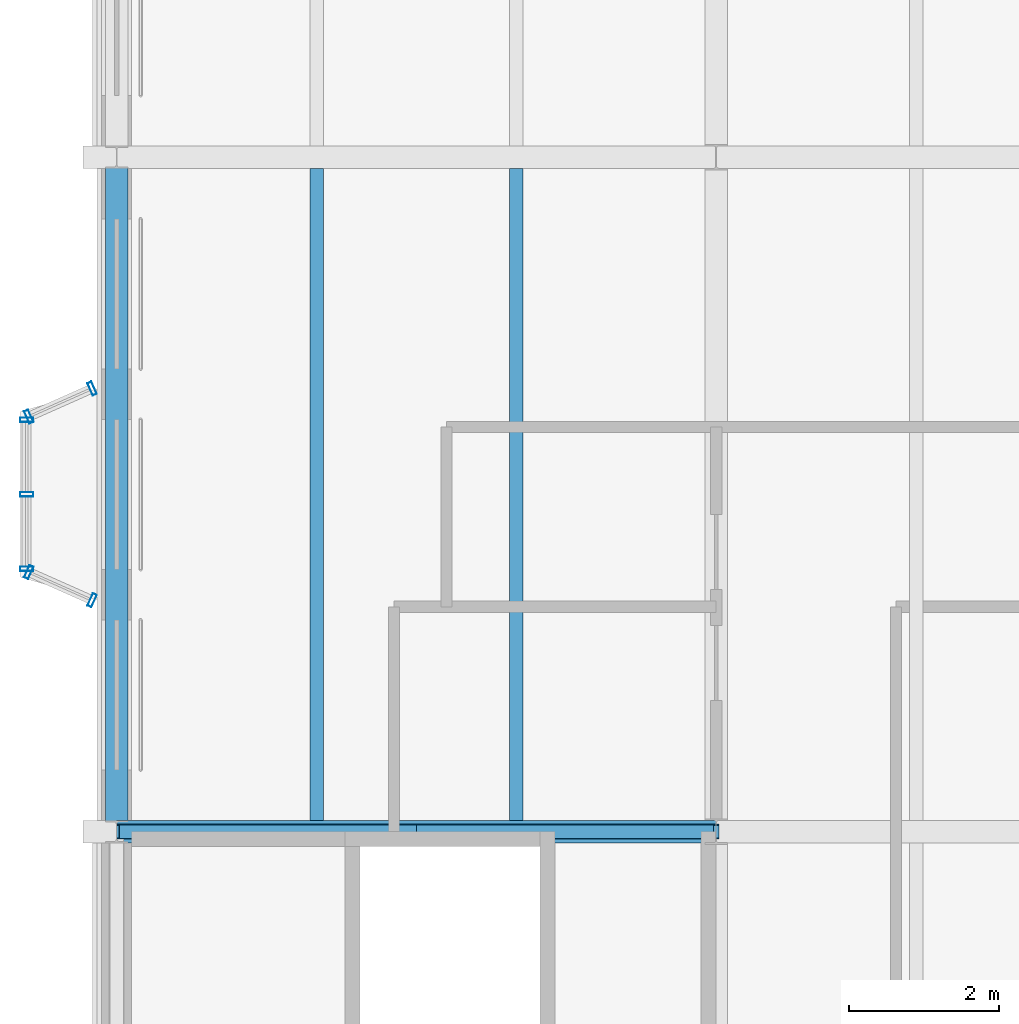
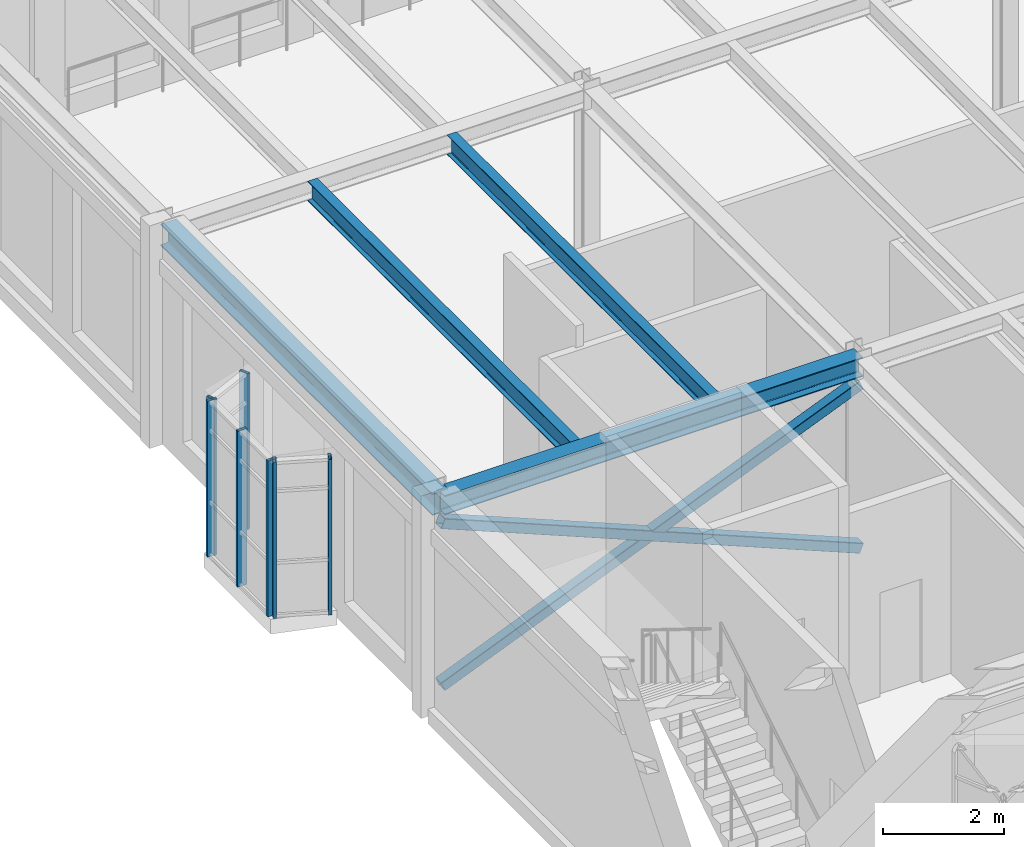
# One storey, part 49 of 153: 9 members, 4 beams, 3 elements without a shape of their own.
"""IFC4 building model written with IfcOpenShell, lengths in metres."""

import ifcopenshell
import ifcopenshell.guid

model = None  # the IFC model being written
_history = None  # IfcOwnerHistory: only IFC2X3 demands one
_inside = {}  # id of a spatial element -> (the spatial element, [elements in it])
_under = {}  # id of a project, library or spatial element -> (it, [spatial elements below it])
_declared = {}  # id of a project -> (the project, [libraries it declares])
_typed = {}  # id of a type object -> (the type object, [elements of that type])
_made_of = {}  # id of a material, layer set ... -> (it, [elements and type objects made of it])


def new_model(schema):
    """Start an empty IFC model of exactly this schema.

    Asked for "IFC4X3", IfcOpenShell would pick the latest addendum, in which some entities
    have other attributes; the version numbers below select the first issue.
    IFC2X3 requires an IfcOwnerHistory on every rooted entity: one is made here for all.
    """
    global model, _history
    if schema == "IFC4X3":
        model = ifcopenshell.file(schema_version=(4, 3, 0, 0))
    else:
        model = ifcopenshell.file(schema=schema)
    _inside.clear()
    _under.clear()
    _declared.clear()
    _typed.clear()
    _made_of.clear()
    _history = None
    if model.schema == "IFC2X3":
        org = make("IfcOrganization", Name="unknown")
        user = make(
            "IfcPersonAndOrganization",
            ThePerson=make("IfcPerson", FamilyName="unknown"),
            TheOrganization=org,
        )
        app = make(
            "IfcApplication",
            ApplicationDeveloper=org,
            Version="unknown",
            ApplicationFullName="unknown",
            ApplicationIdentifier="unknown",
        )
        _history = make(
            "IfcOwnerHistory",
            OwningUser=user,
            OwningApplication=app,
            ChangeAction="ADDED",
            CreationDate=0,
        )
    return model


def make(cls, **values):
    """One entity of the class cls with the attributes given. An attribute that is None is left unset."""
    return model.create_entity(
        cls, **{name: value for name, value in values.items() if value is not None}
    )


def rooted(cls, **values):
    """An entity with a GlobalId (a new one), such as an element, a storey or a relation."""
    return make(cls, GlobalId=ifcopenshell.guid.new(), OwnerHistory=_history, **values)


def si_unit(unit_type, name, prefix=None):
    """IfcSIUnit, for example si_unit("LENGTHUNIT", "METRE", prefix="MILLI")."""
    return make("IfcSIUnit", UnitType=unit_type, Prefix=prefix, Name=name)


def assignment(units):
    """IfcUnitAssignment: the units of a project."""
    return None if units is None else make("IfcUnitAssignment", Units=units)


def point(xyz):
    """IfcCartesianPoint."""
    return None if xyz is None else make("IfcCartesianPoint", Coordinates=xyz)


def direction(xyz):
    """IfcDirection."""
    return None if xyz is None else make("IfcDirection", DirectionRatios=xyz)


def frame(location, z_axis=None, x_axis=None):
    """IfcAxis2Placement3D, a coordinate frame: its origin and axes. An axis left out is left unset."""
    return make(
        "IfcAxis2Placement3D",
        Location=point(location),
        Axis=direction(z_axis),
        RefDirection=direction(x_axis),
    )


def frame_2d(location, x_axis=None):
    """IfcAxis2Placement2D, a coordinate frame in the plane: its origin and x axis."""
    return make(
        "IfcAxis2Placement2D", Location=point(location), RefDirection=direction(x_axis)
    )


def origin():
    """The frame at (0, 0, 0) with its axes left unset."""
    return frame((0.0, 0.0, 0.0))


def origin_2d():
    """The frame at (0, 0) in the plane with its x axis left unset."""
    return frame_2d((0.0, 0.0))


def place(relative_to, where):
    """IfcLocalPlacement: puts the frame where relative to a parent placement (None: the world)."""
    return make(
        "IfcLocalPlacement", PlacementRelTo=relative_to, RelativePlacement=where
    )


def context(
    kind, dimensions, precision=None, world=None, true_north=None, identifier=None
):
    """IfcGeometricRepresentationContext, for example the 3D "Model" context."""
    return make(
        "IfcGeometricRepresentationContext",
        ContextIdentifier=identifier,
        ContextType=kind,
        CoordinateSpaceDimension=dimensions,
        Precision=precision,
        WorldCoordinateSystem=world,
        TrueNorth=true_north,
    )


def subcontext(parent, identifier, kind, view, scale=None):
    """IfcGeometricRepresentationSubContext, for example "Body" below "Model"."""
    return make(
        "IfcGeometricRepresentationSubContext",
        ContextIdentifier=identifier,
        ContextType=kind,
        ParentContext=parent,
        TargetScale=scale,
        TargetView=view,
    )


def project(units=None, contexts=None):
    """IfcProject with its units and contexts."""
    return rooted(
        "IfcProject",
        Name="project",
        RepresentationContexts=contexts,
        UnitsInContext=assignment(units),
    )


def spatial(cls, under=None, at=None, **own):
    """A site, building, storey or space (cls), placed at a placement, below another one or the project."""
    s = rooted(cls, ObjectPlacement=at, **own)
    if under is not None:
        _under.setdefault(under.id(), (under, []))[1].append(s)
    return s


def profile(cls, at=None, kind="AREA", **sizes):
    """A parametric profile (cls). Its sizes go by their IFC names, for example OverallWidth=200.0."""
    return make(cls, ProfileType=kind, Position=at, **sizes)


def hollow_rectangle(**sizes):
    """IfcRectangleHollowProfileDef."""
    return profile("IfcRectangleHollowProfileDef", **sizes)


def i_section(**sizes):
    """IfcIShapeProfileDef."""
    return profile("IfcIShapeProfileDef", **sizes)


def extrude(swept, where, along, depth):
    """IfcExtrudedAreaSolid: the profile swept, set in the frame where, extruded along a direction by depth."""
    return make(
        "IfcExtrudedAreaSolid",
        SweptArea=swept,
        Position=where,
        ExtrudedDirection=direction(along),
        Depth=depth,
    )


def shape(context_of_items, identifier, shape_type, items):
    """IfcShapeRepresentation: the items that make up one representation, for example the "Body"."""
    return make(
        "IfcShapeRepresentation",
        ContextOfItems=context_of_items,
        RepresentationIdentifier=identifier,
        RepresentationType=shape_type,
        Items=items,
    )


def material(Name=None, Category=None):
    """IfcMaterial."""
    return make("IfcMaterial", Name=Name, Category=Category)


def material_profile(
    of_material, cross_section, Name=None, Category=None, Priority=None
):
    """IfcMaterialProfile: a cross section and its material."""
    return make(
        "IfcMaterialProfile",
        Name=Name,
        Material=of_material,
        Profile=cross_section,
        Priority=Priority,
        Category=Category,
    )


def profile_set(profiles, Name=None, composite=None):
    """IfcMaterialProfileSet."""
    return make(
        "IfcMaterialProfileSet",
        Name=Name,
        MaterialProfiles=profiles,
        CompositeProfile=composite,
    )


def made_of(thing, what):
    """Note that an element or type object is made of a material, layer set ...; save() writes the relation."""
    if what is not None:
        _made_of.setdefault(what.id(), (what, []))[1].append(thing)
    return thing


def type_object(cls, material=None, **own):
    """A type object (cls), such as IfcWallType, which elements share."""
    return made_of(rooted(cls, **own), material)


def element(
    cls,
    number,
    at=None,
    inside=None,
    cuts=None,
    type_object=None,
    material=None,
    context=None,
    identifier="Body",
    shape_type=None,
    held_by="IfcProductDefinitionShape",
    body=None,
    shapes=None,
    **own,
):
    """One element of the class cls, such as IfcWall. Its Tag is "e" and its number.

    at: its placement. inside: the storey or other place that contains it. cuts: it is an
    opening in that element (IfcRelVoidsElement). A single representation is given by context,
    identifier, shape_type and body (its items); several are given by shapes. held_by: the class
    of the entity that holds the representations. save() writes the other relations.
    """
    e = rooted(cls, Tag="e%d" % number, ObjectPlacement=at, **own)
    if body is not None:
        shapes = [shape(context, identifier, shape_type, body)]
    if shapes is not None:
        e.Representation = make(held_by, Representations=shapes)
    if inside is not None:
        _inside.setdefault(inside.id(), (inside, []))[1].append(e)
    if cuts is not None:
        rooted(
            "IfcRelVoidsElement", RelatingBuildingElement=cuts, RelatedOpeningElement=e
        )
    if type_object is not None:
        _typed.setdefault(type_object.id(), (type_object, []))[1].append(e)
    return made_of(e, material)


def aggregate(whole, parts):
    """IfcRelAggregates: a whole, such as a stair, and the parts it consists of."""
    return rooted("IfcRelAggregates", RelatingObject=whole, RelatedObjects=parts)


def save(model, path):
    """Write the relations noted so far, then the file.

    IfcRelAggregates (storeys below a building ...), IfcRelContainedInSpatialStructure (elements
    in a storey), IfcRelDefinesByType, IfcRelAssociatesMaterial and IfcRelDeclares: one each for
    every whole, place, type object, material and project.
    """
    for whole, parts in _under.values():
        aggregate(whole, parts)
    for where, things in _inside.values():
        rooted(
            "IfcRelContainedInSpatialStructure",
            RelatedElements=things,
            RelatingStructure=where,
        )
    for kind, things in _typed.values():
        rooted("IfcRelDefinesByType", RelatedObjects=things, RelatingType=kind)
    for what, things in _made_of.values():
        rooted("IfcRelAssociatesMaterial", RelatedObjects=things, RelatingMaterial=what)
    for by, libraries in _declared.values():
        rooted("IfcRelDeclares", RelatingContext=by, RelatedDefinitions=libraries)
    model.write(path)


model = new_model("IFC4")

# Units and contexts
model_context = context("Model", 3, precision=1e-05, world=origin(), true_north=direction((0.0, 1.0)))
body_context = subcontext(model_context, "Body", "Model", "MODEL_VIEW")
ifc_project = project(units=[si_unit("LENGTHUNIT", "METRE"), si_unit("AREAUNIT", "SQUARE_METRE"), si_unit("VOLUMEUNIT", "CUBIC_METRE"), si_unit("PLANEANGLEUNIT", "RADIAN"), si_unit("MASSUNIT", "GRAM", prefix="KILO")], contexts=[model_context])

# Site, building, storey
site_placement = place(None, origin())
site = spatial("IfcSite", under=ifc_project, at=site_placement, CompositionType="ELEMENT")
building_placement = place(site_placement, origin())
building = spatial("IfcBuilding", under=site, at=building_placement, Name="Kallimachos Central Library", CompositionType="ELEMENT")
storey_placement = place(building_placement, frame((0.0, 0.0, 5.39990234375)))
storey = spatial("IfcBuildingStorey", under=building, at=storey_placement, Name="L01", CompositionType="ELEMENT", Elevation=5.39990234375)

# Curtain wall, members
ifc_material_1 = material(Name="Laminated glass in anodised aluminium", Category="aluminium")
curtain_wall_type = type_object("IfcCurtainWallType", Name="Foyer curtain wall", PredefinedType="NOTDEFINED", material=ifc_material_1)
curtain_wall_1_placement = place(storey_placement, origin())
curtain_wall_1 = element("IfcCurtainWall", 1, at=curtain_wall_1_placement, inside=storey, type_object=curtain_wall_type, Name="Tribune bay return west", PredefinedType="NOTDEFINED")
ifc_material_2 = material(Name="Anodised aluminium", Category="aluminium")
ifc_material_profile_1 = material_profile(ifc_material_2, hollow_rectangle(XDim=0.06005859375, YDim=0.179931640625, WallThickness=0.00390625, at=origin_2d()), Name="ALU MULLION 60x180")
ifc_profile_set_1 = profile_set([ifc_material_profile_1], Name="Anodised aluminium")
member_type_1 = type_object("IfcMemberType", Name="ALU MULLION 60x180 mullion", PredefinedType="MULLION", material=ifc_profile_set_1)
member_1_placement = place(storey_placement, frame((5.672607421875, 99.087158203125, 0.150146484375), z_axis=(0.0, 0.0, 1.0), x_axis=(-0.913811548617, 0.40613846606, 0.0)))
member_1 = element("IfcMember", 2, at=member_1_placement, type_object=member_type_1, Name="CW mullion 1", PredefinedType="MULLION", context=body_context, shape_type="SweptSolid", body=[
    extrude(hollow_rectangle(XDim=0.06005859375, YDim=0.179931640625, WallThickness=0.00390625, at=origin_2d()), origin(), (0.0, 0.0, 1.0), 3.14990234375),
])
member_2_placement = place(storey_placement, frame((4.827392578125, 99.462890625, 0.150146484375), z_axis=(0.0, 0.0, 1.0), x_axis=(-0.913811548617, 0.40613846606, 0.0)))
member_2 = element("IfcMember", 3, at=member_2_placement, type_object=member_type_1, Name="CW mullion 2", PredefinedType="MULLION", context=body_context, shape_type="SweptSolid", body=[
    extrude(hollow_rectangle(XDim=0.06005859375, YDim=0.179931640625, WallThickness=0.00390625, at=origin_2d()), origin(), (0.0, 0.0, 1.0), 3.14990234375),
])
aggregate(curtain_wall_1, [member_1, member_2])

curtain_wall_2_placement = place(storey_placement, origin())
curtain_wall_2 = element("IfcCurtainWall", 4, at=curtain_wall_2_placement, inside=storey, type_object=curtain_wall_type, Name="Tribune bay front", PredefinedType="NOTDEFINED")
member_3_placement = place(storey_placement, frame((4.800048828125, 99.5048828125, 0.150146484375), z_axis=(0.0, 0.0, 1.0), x_axis=(0.0, 1.0, 0.0)))
member_3 = element("IfcMember", 5, at=member_3_placement, type_object=member_type_1, Name="CW mullion 1", PredefinedType="MULLION", context=body_context, shape_type="SweptSolid", body=[
    extrude(hollow_rectangle(XDim=0.06005859375, YDim=0.179931640625, WallThickness=0.00390625, at=origin_2d()), origin(), (0.0, 0.0, 1.0), 3.14990234375),
])
member_4_placement = place(storey_placement, frame((4.800048828125, 100.5, 0.150146484375), z_axis=(0.0, 0.0, 1.0), x_axis=(0.0, 1.0, 0.0)))
member_4 = element("IfcMember", 6, at=member_4_placement, type_object=member_type_1, Name="CW mullion 2", PredefinedType="MULLION", context=body_context, shape_type="SweptSolid", body=[
    extrude(hollow_rectangle(XDim=0.06005859375, YDim=0.179931640625, WallThickness=0.00390625, at=origin_2d()), origin(), (0.0, 0.0, 1.0), 3.14990234375),
])
member_5_placement = place(storey_placement, frame((4.800048828125, 101.4951171875, 0.150146484375), z_axis=(0.0, 0.0, 1.0), x_axis=(0.0, 1.0, 0.0)))
member_5 = element("IfcMember", 7, at=member_5_placement, type_object=member_type_1, Name="CW mullion 3", PredefinedType="MULLION", context=body_context, shape_type="SweptSolid", body=[
    extrude(hollow_rectangle(XDim=0.06005859375, YDim=0.179931640625, WallThickness=0.00390625, at=origin_2d()), origin(), (0.0, 0.0, 1.0), 3.14990234375),
])
aggregate(curtain_wall_2, [member_3, member_4, member_5])

curtain_wall_3_placement = place(storey_placement, origin())
curtain_wall_3 = element("IfcCurtainWall", 8, at=curtain_wall_3_placement, inside=storey, type_object=curtain_wall_type, Name="Tribune bay return east", PredefinedType="NOTDEFINED")
member_6_placement = place(storey_placement, frame((4.827392578125, 101.537109375, 0.150146484375), z_axis=(0.0, 0.0, 1.0), x_axis=(0.913811548617, 0.40613846606, 0.0)))
member_6 = element("IfcMember", 9, at=member_6_placement, type_object=member_type_1, Name="CW mullion 1", PredefinedType="MULLION", context=body_context, shape_type="SweptSolid", body=[
    extrude(hollow_rectangle(XDim=0.06005859375, YDim=0.179931640625, WallThickness=0.00390625, at=origin_2d()), origin(), (0.0, 0.0, 1.0), 3.14990234375),
])
member_7_placement = place(storey_placement, frame((5.672607421875, 101.912841796875, 0.150146484375), z_axis=(0.0, 0.0, 1.0), x_axis=(0.913811548617, 0.40613846606, 0.0)))
member_7 = element("IfcMember", 10, at=member_7_placement, type_object=member_type_1, Name="CW mullion 2", PredefinedType="MULLION", context=body_context, shape_type="SweptSolid", body=[
    extrude(hollow_rectangle(XDim=0.06005859375, YDim=0.179931640625, WallThickness=0.00390625, at=origin_2d()), origin(), (0.0, 0.0, 1.0), 3.14990234375),
])
aggregate(curtain_wall_3, [member_6, member_7])

# Beams
ifc_material_3 = material(Name="Steel S355J2", Category="steel")
ifc_material_profile_2 = material_profile(ifc_material_3, i_section(OverallWidth=0.300048828125, OverallDepth=0.389892578125, WebThickness=0.010986328125, FlangeThickness=0.01904296875, FilletRadius=0.027099609375, at=origin_2d()), Name="HEA 400")
ifc_profile_set_2 = profile_set([ifc_material_profile_2], Name="Steel S355J2")
beam_type_1 = type_object("IfcBeamType", Name="HEA 400 beam", PredefinedType="BEAM", material=ifc_profile_set_2)
beam_1_placement = place(storey_placement, frame((6.0, 96.0, 4.155029296875), z_axis=(1.0, 0.0, 0.0), x_axis=(0.0, 1.0, 0.0)))
element("IfcBeam", 11, at=beam_1_placement, inside=storey, type_object=beam_type_1, Name="V2-BEM-L01-020", PredefinedType="BEAM", context=body_context, shape_type="SweptSolid", body=[
    extrude(i_section(OverallWidth=0.300048828125, OverallDepth=0.389892578125, WebThickness=0.010986328125, FlangeThickness=0.01904296875, FilletRadius=0.027099609375, at=origin_2d()), origin(), (0.0, 0.0, 1.0), 8.0),
])
ifc_material_4 = material(Name="Steel S355J2", Category="steel")
ifc_material_profile_3 = material_profile(ifc_material_4, i_section(OverallWidth=0.300048828125, OverallDepth=0.43994140625, WebThickness=0.011474609375, FlangeThickness=0.02099609375, FilletRadius=0.027099609375, at=origin_2d()), Name="HEA 450")
ifc_profile_set_3 = profile_set([ifc_material_profile_3], Name="Steel S355J2")
beam_type_2 = type_object("IfcBeamType", Name="HEA 450 beam", PredefinedType="BEAM", material=ifc_profile_set_3)
beam_2_placement = place(storey_placement, frame((6.0, 96.0, 4.130126953125), z_axis=(0.0, 1.0, 0.0), x_axis=(-1.0, 0.0, 0.0)))
element("IfcBeam", 12, at=beam_2_placement, inside=storey, type_object=beam_type_2, Name="V2-BEM-L01-002", PredefinedType="BEAM", context=body_context, shape_type="SweptSolid", body=[
    extrude(i_section(OverallWidth=0.300048828125, OverallDepth=0.43994140625, WebThickness=0.011474609375, FlangeThickness=0.02099609375, FilletRadius=0.027099609375, at=origin_2d()), origin(), (0.0, 0.0, 1.0), 9.0),
])
ifc_material_5 = material(Name="Steel S355J2", Category="steel")
ifc_material_profile_4 = material_profile(ifc_material_5, i_section(OverallWidth=0.179931640625, OverallDepth=0.39990234375, WebThickness=0.008544921875, FlangeThickness=0.013427734375, FilletRadius=0.02099609375, at=origin_2d()), Name="IPE 400")
ifc_profile_set_4 = profile_set([ifc_material_profile_4], Name="Steel S355J2")
beam_type_3 = type_object("IfcBeamType", Name="IPE 400 beam", PredefinedType="BEAM", material=ifc_profile_set_4)
for number, where, z_axis, x_axis, name in (
    (13, (8.666748046875, 96.14990234375, 4.150146484375), (0.0, 1.0, 0.0), (-1.0, 0.0, 0.0), "V2-BEM-L01-032"),
    (14, (11.333251953125, 96.14990234375, 4.150146484375), (0.0, 1.0, 0.0), (-1.0, 0.0, 0.0), "V2-BEM-L01-033"),
):
    element("IfcBeam", number, at=place(storey_placement, frame(where, z_axis=z_axis, x_axis=x_axis)), inside=storey, type_object=beam_type_3, Name=name, PredefinedType="BEAM", context=body_context, shape_type="SweptSolid", body=[
        extrude(i_section(OverallWidth=0.179931640625, OverallDepth=0.39990234375, WebThickness=0.008544921875, FlangeThickness=0.013427734375, FilletRadius=0.02099609375, at=origin_2d()), origin(), (0.0, 0.0, 1.0), 8.7001953125),
    ])

# Members
ifc_material_6 = material(Name="Steel S355J2H", Category="steel")
ifc_material_profile_5 = material_profile(ifc_material_6, hollow_rectangle(XDim=0.199951171875, YDim=0.199951171875, WallThickness=0.010009765625, InnerFilletRadius=0.010009765625, OuterFilletRadius=0.014892578125, at=origin_2d()), Name="SHS 200x200x10")
ifc_profile_set_5 = profile_set([ifc_material_profile_5], Name="Steel S355J2H")
member_type_2 = type_object("IfcMemberType", Name="SHS 200x200x10 brace", PredefinedType="BRACE", material=ifc_profile_set_5)
for number, where, z_axis, x_axis, name in (
    (15, (6.0, 96.0, 0.4501953125), (0.924446557028, 0.0, 0.381311635278), (0.0, 1.0, 0.0), "V2-MEM-L01-003"),
    (16, (6.0, 96.0, 3.75), (0.924446557028, 0.0, -0.381311635278), (0.0, 1.0, 0.0), "V2-MEM-L01-004"),
):
    element("IfcMember", number, at=place(storey_placement, frame(where, z_axis=z_axis, x_axis=x_axis)), inside=storey, type_object=member_type_2, Name=name, PredefinedType="BRACE", context=body_context, shape_type="SweptSolid", body=[
        extrude(hollow_rectangle(XDim=0.199951171875, YDim=0.199951171875, WallThickness=0.010009765625, InnerFilletRadius=0.010009765625, OuterFilletRadius=0.014892578125, at=origin_2d()), origin(), (0.0, 0.0, 1.0), 8.65380859375),
    ])

save(model, "model.ifc")
